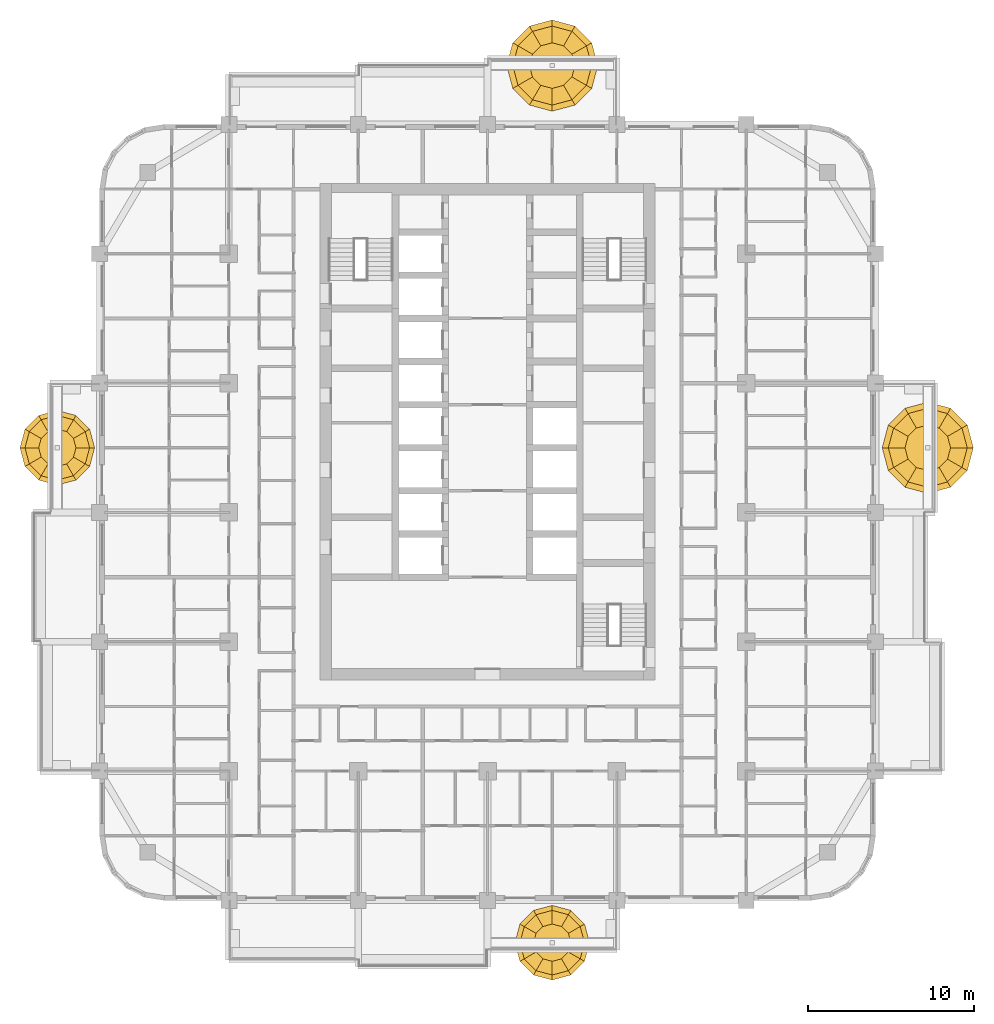
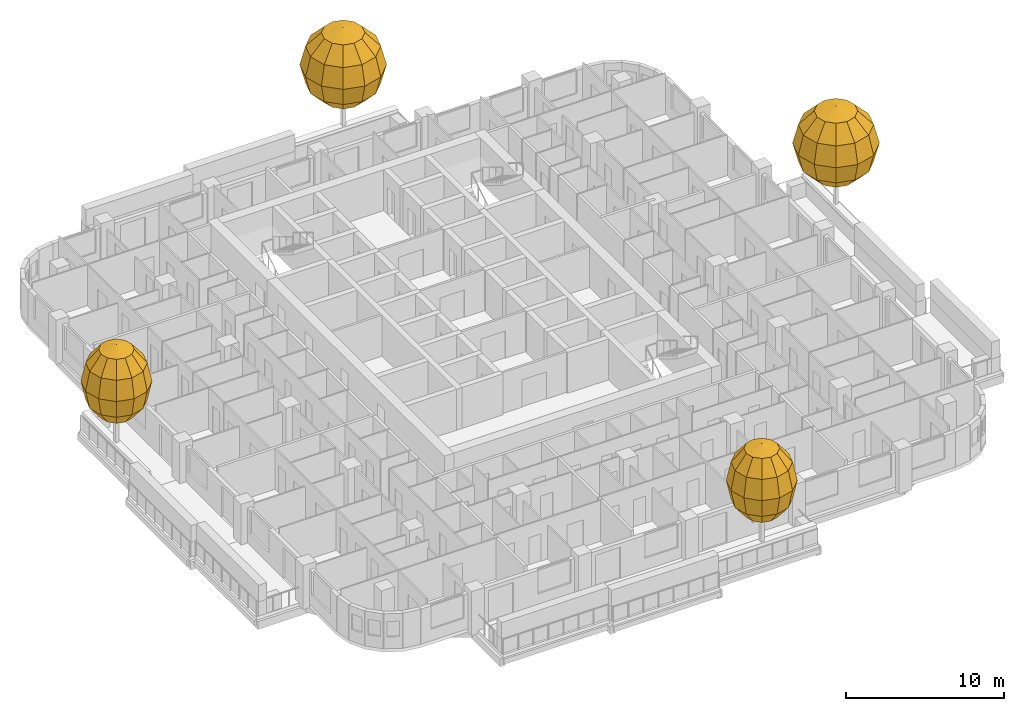
# One storey, part 18 of 18: 4 coverings.
"""IFC4 building model written with IfcOpenShell, lengths in metres."""

from ifc_helpers import new_model, si_unit, direction, frame, origin, place, context, subcontext, project, spatial, triangles, material, layer, layer_set, type_object, element, save


model = new_model("IFC4")

# Units and contexts
model_context = context("Model", 3, precision=1e-05, world=origin(), true_north=direction((0.0, 1.0)))
body_context = subcontext(model_context, "Body", "Model", "MODEL_VIEW")
ifc_project = project(units=[si_unit("LENGTHUNIT", "METRE"), si_unit("AREAUNIT", "SQUARE_METRE"), si_unit("VOLUMEUNIT", "CUBIC_METRE"), si_unit("PLANEANGLEUNIT", "RADIAN"), si_unit("MASSUNIT", "GRAM", prefix="KILO")], contexts=[model_context])

# Site, building, storey
site_placement = place(None, origin())
site = spatial("IfcSite", under=ifc_project, at=site_placement, CompositionType="ELEMENT")
building_placement = place(site_placement, origin())
building = spatial("IfcBuilding", under=site, at=building_placement, Name="Ludao Terraces", CompositionType="ELEMENT")
storey_placement = place(building_placement, frame((0.0, 0.0, 58.0)))
storey = spatial("IfcBuildingStorey", under=building, at=storey_placement, Name="L15", CompositionType="ELEMENT", Elevation=58.0)

# Coverings
ifc_material = material(Name="Planting")
ifc_layer_1 = layer(ifc_material, 4.5)
ifc_layer_set_1 = layer_set([ifc_layer_1], Name="ENV Tree crown 4500x5700")
covering_type_1 = type_object("IfcCoveringType", Name="ENV Tree crown 4500x5700", PredefinedType="USERDEFINED", material=ifc_layer_set_1)
covering_1_placement = place(storey_placement, frame((88.89990234375, 39.050048828125, 6.0)))
element("IfcCovering", 1, at=covering_1_placement, inside=storey, type_object=covering_type_1, Name="Tree crown L15 S3", ObjectType="PLANTING", PredefinedType="USERDEFINED", context=body_context, shape_type="Tessellation", body=[
    triangles([(0.0, 0.0, 2.85009765625), (1.125, 0.0, 2.46826171875), (0.974365234375, 0.5625, 2.46826171875), (0.5625, 0.974365234375, 2.46826171875), (0.0, 1.125, 2.46826171875), (-0.5625, 0.974365234375, 2.46826171875), (-0.974365234375, 0.5625, 2.46826171875), (-1.125, 0.0, 2.46826171875), (-0.974365234375, -0.5625, 2.46826171875), (-0.5625, -0.974365234375, 2.46826171875), (0.0, -1.125, 2.46826171875), (0.5625, -0.974365234375, 2.46826171875), (0.974365234375, -0.5625, 2.46826171875), (1.948486328125, 0.0, 1.425048828125), (1.6875, 0.974365234375, 1.425048828125), (0.974365234375, 1.6875, 1.425048828125), (0.0, 1.948486328125, 1.425048828125), (-0.974365234375, 1.6875, 1.425048828125), (-1.6875, 0.974365234375, 1.425048828125), (-1.948486328125, 0.0, 1.425048828125), (-1.6875, -0.974365234375, 1.425048828125), (-0.974365234375, -1.6875, 1.425048828125), (0.0, -1.948486328125, 1.425048828125), (0.974365234375, -1.6875, 1.425048828125), (1.6875, -0.974365234375, 1.425048828125), (2.25, 0.0, 0.0), (1.948486328125, 1.125, 0.0), (1.125, 1.948486328125, 0.0), (0.0, 2.25, 0.0), (-1.125, 1.948486328125, 0.0), (-1.948486328125, 1.125, 0.0), (-2.25, 0.0, 0.0), (-1.948486328125, -1.125, 0.0), (-1.125, -1.948486328125, 0.0), (0.0, -2.25, 0.0), (1.125, -1.948486328125, 0.0), (1.948486328125, -1.125, 0.0), (1.948486328125, 0.0, -1.425048828125), (1.6875, 0.974365234375, -1.425048828125), (0.974365234375, 1.6875, -1.425048828125), (0.0, 1.948486328125, -1.425048828125), (-0.974365234375, 1.6875, -1.425048828125), (-1.6875, 0.974365234375, -1.425048828125), (-1.948486328125, 0.0, -1.425048828125), (-1.6875, -0.974365234375, -1.425048828125), (-0.974365234375, -1.6875, -1.425048828125), (0.0, -1.948486328125, -1.425048828125), (0.974365234375, -1.6875, -1.425048828125), (1.6875, -0.974365234375, -1.425048828125), (1.125, 0.0, -2.46826171875), (0.974365234375, 0.5625, -2.46826171875), (0.5625, 0.974365234375, -2.46826171875), (0.0, 1.125, -2.46826171875), (-0.5625, 0.974365234375, -2.46826171875), (-0.974365234375, 0.5625, -2.46826171875), (-1.125, 0.0, -2.46826171875), (-0.974365234375, -0.5625, -2.46826171875), (-0.5625, -0.974365234375, -2.46826171875), (0.0, -1.125, -2.46826171875), (0.5625, -0.974365234375, -2.46826171875), (0.974365234375, -0.5625, -2.46826171875), (0.0, 0.0, -2.85009765625)], [[1, 2, 3], [1, 3, 4], [1, 4, 5], [1, 5, 6], [1, 6, 7], [1, 7, 8], [1, 8, 9], [1, 9, 10], [1, 10, 11], [1, 11, 12], [1, 12, 13], [1, 13, 2], [2, 14, 15], [2, 15, 3], [3, 15, 16], [3, 16, 4], [4, 16, 17], [4, 17, 5], [5, 17, 18], [5, 18, 6], [6, 18, 19], [6, 19, 7], [7, 19, 20], [7, 20, 8], [8, 20, 21], [8, 21, 9], [9, 21, 22], [9, 22, 10], [10, 22, 23], [10, 23, 11], [11, 23, 24], [11, 24, 12], [12, 24, 25], [12, 25, 13], [13, 25, 14], [13, 14, 2], [14, 26, 27], [14, 27, 15], [15, 27, 28], [15, 28, 16], [16, 28, 29], [16, 29, 17], [17, 29, 30], [17, 30, 18], [18, 30, 31], [18, 31, 19], [19, 31, 32], [19, 32, 20], [20, 32, 33], [20, 33, 21], [21, 33, 34], [21, 34, 22], [22, 34, 35], [22, 35, 23], [23, 35, 36], [23, 36, 24], [24, 36, 37], [24, 37, 25], [25, 37, 26], [25, 26, 14], [26, 38, 39], [26, 39, 27], [27, 39, 40], [27, 40, 28], [28, 40, 41], [28, 41, 29], [29, 41, 42], [29, 42, 30], [30, 42, 43], [30, 43, 31], [31, 43, 44], [31, 44, 32], [32, 44, 45], [32, 45, 33], [33, 45, 46], [33, 46, 34], [34, 46, 47], [34, 47, 35], [35, 47, 48], [35, 48, 36], [36, 48, 49], [36, 49, 37], [37, 49, 38], [37, 38, 26], [38, 50, 51], [38, 51, 39], [39, 51, 52], [39, 52, 40], [40, 52, 53], [40, 53, 41], [41, 53, 54], [41, 54, 42], [42, 54, 55], [42, 55, 43], [43, 55, 56], [43, 56, 44], [44, 56, 57], [44, 57, 45], [45, 57, 58], [45, 58, 46], [46, 58, 59], [46, 59, 47], [47, 59, 60], [47, 60, 48], [48, 60, 61], [48, 61, 49], [49, 61, 50], [49, 50, 38], [62, 51, 50], [62, 52, 51], [62, 53, 52], [62, 54, 53], [62, 55, 54], [62, 56, 55], [62, 57, 56], [62, 58, 57], [62, 59, 58], [62, 60, 59], [62, 61, 60], [62, 50, 61]], closed=True),
])
covering_2_placement = place(storey_placement, frame((59.050048828125, 68.89990234375, 6.0)))
element("IfcCovering", 2, at=covering_2_placement, inside=storey, type_object=covering_type_1, Name="Tree crown L15 W3", ObjectType="PLANTING", PredefinedType="USERDEFINED", context=body_context, shape_type="Tessellation", body=[
    triangles([(0.0, 0.0, 2.85009765625), (1.125, 0.0, 2.46826171875), (0.974365234375, 0.5625, 2.46826171875), (0.5625, 0.974365234375, 2.46826171875), (0.0, 1.125, 2.46826171875), (-0.5625, 0.974365234375, 2.46826171875), (-0.974365234375, 0.5625, 2.46826171875), (-1.125, 0.0, 2.46826171875), (-0.974365234375, -0.5625, 2.46826171875), (-0.5625, -0.974365234375, 2.46826171875), (0.0, -1.125, 2.46826171875), (0.5625, -0.974365234375, 2.46826171875), (0.974365234375, -0.5625, 2.46826171875), (1.948486328125, 0.0, 1.425048828125), (1.6875, 0.974365234375, 1.425048828125), (0.974365234375, 1.6875, 1.425048828125), (0.0, 1.948486328125, 1.425048828125), (-0.974365234375, 1.6875, 1.425048828125), (-1.6875, 0.974365234375, 1.425048828125), (-1.948486328125, 0.0, 1.425048828125), (-1.6875, -0.974365234375, 1.425048828125), (-0.974365234375, -1.6875, 1.425048828125), (0.0, -1.948486328125, 1.425048828125), (0.974365234375, -1.6875, 1.425048828125), (1.6875, -0.974365234375, 1.425048828125), (2.25, 0.0, 0.0), (1.948486328125, 1.125, 0.0), (1.125, 1.948486328125, 0.0), (0.0, 2.25, 0.0), (-1.125, 1.948486328125, 0.0), (-1.948486328125, 1.125, 0.0), (-2.25, 0.0, 0.0), (-1.948486328125, -1.125, 0.0), (-1.125, -1.948486328125, 0.0), (0.0, -2.25, 0.0), (1.125, -1.948486328125, 0.0), (1.948486328125, -1.125, 0.0), (1.948486328125, 0.0, -1.425048828125), (1.6875, 0.974365234375, -1.425048828125), (0.974365234375, 1.6875, -1.425048828125), (0.0, 1.948486328125, -1.425048828125), (-0.974365234375, 1.6875, -1.425048828125), (-1.6875, 0.974365234375, -1.425048828125), (-1.948486328125, 0.0, -1.425048828125), (-1.6875, -0.974365234375, -1.425048828125), (-0.974365234375, -1.6875, -1.425048828125), (0.0, -1.948486328125, -1.425048828125), (0.974365234375, -1.6875, -1.425048828125), (1.6875, -0.974365234375, -1.425048828125), (1.125, 0.0, -2.46826171875), (0.974365234375, 0.5625, -2.46826171875), (0.5625, 0.974365234375, -2.46826171875), (0.0, 1.125, -2.46826171875), (-0.5625, 0.974365234375, -2.46826171875), (-0.974365234375, 0.5625, -2.46826171875), (-1.125, 0.0, -2.46826171875), (-0.974365234375, -0.5625, -2.46826171875), (-0.5625, -0.974365234375, -2.46826171875), (0.0, -1.125, -2.46826171875), (0.5625, -0.974365234375, -2.46826171875), (0.974365234375, -0.5625, -2.46826171875), (0.0, 0.0, -2.85009765625)], [[1, 2, 3], [1, 3, 4], [1, 4, 5], [1, 5, 6], [1, 6, 7], [1, 7, 8], [1, 8, 9], [1, 9, 10], [1, 10, 11], [1, 11, 12], [1, 12, 13], [1, 13, 2], [2, 14, 15], [2, 15, 3], [3, 15, 16], [3, 16, 4], [4, 16, 17], [4, 17, 5], [5, 17, 18], [5, 18, 6], [6, 18, 19], [6, 19, 7], [7, 19, 20], [7, 20, 8], [8, 20, 21], [8, 21, 9], [9, 21, 22], [9, 22, 10], [10, 22, 23], [10, 23, 11], [11, 23, 24], [11, 24, 12], [12, 24, 25], [12, 25, 13], [13, 25, 14], [13, 14, 2], [14, 26, 27], [14, 27, 15], [15, 27, 28], [15, 28, 16], [16, 28, 29], [16, 29, 17], [17, 29, 30], [17, 30, 18], [18, 30, 31], [18, 31, 19], [19, 31, 32], [19, 32, 20], [20, 32, 33], [20, 33, 21], [21, 33, 34], [21, 34, 22], [22, 34, 35], [22, 35, 23], [23, 35, 36], [23, 36, 24], [24, 36, 37], [24, 37, 25], [25, 37, 26], [25, 26, 14], [26, 38, 39], [26, 39, 27], [27, 39, 40], [27, 40, 28], [28, 40, 41], [28, 41, 29], [29, 41, 42], [29, 42, 30], [30, 42, 43], [30, 43, 31], [31, 43, 44], [31, 44, 32], [32, 44, 45], [32, 45, 33], [33, 45, 46], [33, 46, 34], [34, 46, 47], [34, 47, 35], [35, 47, 48], [35, 48, 36], [36, 48, 49], [36, 49, 37], [37, 49, 38], [37, 38, 26], [38, 50, 51], [38, 51, 39], [39, 51, 52], [39, 52, 40], [40, 52, 53], [40, 53, 41], [41, 53, 54], [41, 54, 42], [42, 54, 55], [42, 55, 43], [43, 55, 56], [43, 56, 44], [44, 56, 57], [44, 57, 45], [45, 57, 58], [45, 58, 46], [46, 58, 59], [46, 59, 47], [47, 59, 60], [47, 60, 48], [48, 60, 61], [48, 61, 49], [49, 61, 50], [49, 50, 38], [62, 51, 50], [62, 52, 51], [62, 53, 52], [62, 54, 53], [62, 55, 54], [62, 56, 55], [62, 57, 56], [62, 58, 57], [62, 59, 58], [62, 60, 59], [62, 61, 60], [62, 50, 61]], closed=True),
])
ifc_layer_2 = layer(ifc_material, 5.5)
ifc_layer_set_2 = layer_set([ifc_layer_2], Name="ENV Tree crown 5500x5700")
covering_type_2 = type_object("IfcCoveringType", Name="ENV Tree crown 5500x5700", PredefinedType="USERDEFINED", material=ifc_layer_set_2)
covering_3_placement = place(storey_placement, frame((111.550048828125, 68.89990234375, 6.0)))
element("IfcCovering", 3, at=covering_3_placement, inside=storey, type_object=covering_type_2, Name="Tree crown L15 E3", ObjectType="PLANTING", PredefinedType="USERDEFINED", context=body_context, shape_type="Tessellation", body=[
    triangles([(0.0, 0.0, 2.85009765625), (1.375, 0.0, 2.46826171875), (1.190673828125, 0.6875, 2.46826171875), (0.6875, 1.190673828125, 2.46826171875), (0.0, 1.375, 2.46826171875), (-0.6875, 1.190673828125, 2.46826171875), (-1.190673828125, 0.6875, 2.46826171875), (-1.375, 0.0, 2.46826171875), (-1.190673828125, -0.6875, 2.46826171875), (-0.6875, -1.190673828125, 2.46826171875), (0.0, -1.375, 2.46826171875), (0.6875, -1.190673828125, 2.46826171875), (1.190673828125, -0.6875, 2.46826171875), (2.381591796875, 0.0, 1.425048828125), (2.0625, 1.190673828125, 1.425048828125), (1.190673828125, 2.0625, 1.425048828125), (0.0, 2.381591796875, 1.425048828125), (-1.190673828125, 2.0625, 1.425048828125), (-2.0625, 1.190673828125, 1.425048828125), (-2.381591796875, 0.0, 1.425048828125), (-2.0625, -1.190673828125, 1.425048828125), (-1.190673828125, -2.0625, 1.425048828125), (0.0, -2.381591796875, 1.425048828125), (1.190673828125, -2.0625, 1.425048828125), (2.0625, -1.190673828125, 1.425048828125), (2.75, 0.0, 0.0), (2.381591796875, 1.375, 0.0), (1.375, 2.381591796875, 0.0), (0.0, 2.75, 0.0), (-1.375, 2.381591796875, 0.0), (-2.381591796875, 1.375, 0.0), (-2.75, 0.0, 0.0), (-2.381591796875, -1.375, 0.0), (-1.375, -2.381591796875, 0.0), (0.0, -2.75, 0.0), (1.375, -2.381591796875, 0.0), (2.381591796875, -1.375, 0.0), (2.381591796875, 0.0, -1.425048828125), (2.0625, 1.190673828125, -1.425048828125), (1.190673828125, 2.0625, -1.425048828125), (0.0, 2.381591796875, -1.425048828125), (-1.190673828125, 2.0625, -1.425048828125), (-2.0625, 1.190673828125, -1.425048828125), (-2.381591796875, 0.0, -1.425048828125), (-2.0625, -1.190673828125, -1.425048828125), (-1.190673828125, -2.0625, -1.425048828125), (0.0, -2.381591796875, -1.425048828125), (1.190673828125, -2.0625, -1.425048828125), (2.0625, -1.190673828125, -1.425048828125), (1.375, 0.0, -2.46826171875), (1.190673828125, 0.6875, -2.46826171875), (0.6875, 1.190673828125, -2.46826171875), (0.0, 1.375, -2.46826171875), (-0.6875, 1.190673828125, -2.46826171875), (-1.190673828125, 0.6875, -2.46826171875), (-1.375, 0.0, -2.46826171875), (-1.190673828125, -0.6875, -2.46826171875), (-0.6875, -1.190673828125, -2.46826171875), (0.0, -1.375, -2.46826171875), (0.6875, -1.190673828125, -2.46826171875), (1.190673828125, -0.6875, -2.46826171875), (0.0, 0.0, -2.85009765625)], [[1, 2, 3], [1, 3, 4], [1, 4, 5], [1, 5, 6], [1, 6, 7], [1, 7, 8], [1, 8, 9], [1, 9, 10], [1, 10, 11], [1, 11, 12], [1, 12, 13], [1, 13, 2], [2, 14, 15], [2, 15, 3], [3, 15, 16], [3, 16, 4], [4, 16, 17], [4, 17, 5], [5, 17, 18], [5, 18, 6], [6, 18, 19], [6, 19, 7], [7, 19, 20], [7, 20, 8], [8, 20, 21], [8, 21, 9], [9, 21, 22], [9, 22, 10], [10, 22, 23], [10, 23, 11], [11, 23, 24], [11, 24, 12], [12, 24, 25], [12, 25, 13], [13, 25, 14], [13, 14, 2], [14, 26, 27], [14, 27, 15], [15, 27, 28], [15, 28, 16], [16, 28, 29], [16, 29, 17], [17, 29, 30], [17, 30, 18], [18, 30, 31], [18, 31, 19], [19, 31, 32], [19, 32, 20], [20, 32, 33], [20, 33, 21], [21, 33, 34], [21, 34, 22], [22, 34, 35], [22, 35, 23], [23, 35, 36], [23, 36, 24], [24, 36, 37], [24, 37, 25], [25, 37, 26], [25, 26, 14], [26, 38, 39], [26, 39, 27], [27, 39, 40], [27, 40, 28], [28, 40, 41], [28, 41, 29], [29, 41, 42], [29, 42, 30], [30, 42, 43], [30, 43, 31], [31, 43, 44], [31, 44, 32], [32, 44, 45], [32, 45, 33], [33, 45, 46], [33, 46, 34], [34, 46, 47], [34, 47, 35], [35, 47, 48], [35, 48, 36], [36, 48, 49], [36, 49, 37], [37, 49, 38], [37, 38, 26], [38, 50, 51], [38, 51, 39], [39, 51, 52], [39, 52, 40], [40, 52, 53], [40, 53, 41], [41, 53, 54], [41, 54, 42], [42, 54, 55], [42, 55, 43], [43, 55, 56], [43, 56, 44], [44, 56, 57], [44, 57, 45], [45, 57, 58], [45, 58, 46], [46, 58, 59], [46, 59, 47], [47, 59, 60], [47, 60, 48], [48, 60, 61], [48, 61, 49], [49, 61, 50], [49, 50, 38], [62, 51, 50], [62, 52, 51], [62, 53, 52], [62, 54, 53], [62, 55, 54], [62, 56, 55], [62, 57, 56], [62, 58, 57], [62, 59, 58], [62, 60, 59], [62, 61, 60], [62, 50, 61]], closed=True),
])
covering_4_placement = place(storey_placement, frame((88.89990234375, 91.949951171875, 6.0)))
element("IfcCovering", 4, at=covering_4_placement, inside=storey, type_object=covering_type_2, Name="Tree crown L15 N3", ObjectType="PLANTING", PredefinedType="USERDEFINED", context=body_context, shape_type="Tessellation", body=[
    triangles([(0.0, 0.0, 2.85009765625), (1.375, 0.0, 2.46826171875), (1.190673828125, 0.6875, 2.46826171875), (0.6875, 1.190673828125, 2.46826171875), (0.0, 1.375, 2.46826171875), (-0.6875, 1.190673828125, 2.46826171875), (-1.190673828125, 0.6875, 2.46826171875), (-1.375, 0.0, 2.46826171875), (-1.190673828125, -0.6875, 2.46826171875), (-0.6875, -1.190673828125, 2.46826171875), (0.0, -1.375, 2.46826171875), (0.6875, -1.190673828125, 2.46826171875), (1.190673828125, -0.6875, 2.46826171875), (2.381591796875, 0.0, 1.425048828125), (2.0625, 1.190673828125, 1.425048828125), (1.190673828125, 2.0625, 1.425048828125), (0.0, 2.381591796875, 1.425048828125), (-1.190673828125, 2.0625, 1.425048828125), (-2.0625, 1.190673828125, 1.425048828125), (-2.381591796875, 0.0, 1.425048828125), (-2.0625, -1.190673828125, 1.425048828125), (-1.190673828125, -2.0625, 1.425048828125), (0.0, -2.381591796875, 1.425048828125), (1.190673828125, -2.0625, 1.425048828125), (2.0625, -1.190673828125, 1.425048828125), (2.75, 0.0, 0.0), (2.381591796875, 1.375, 0.0), (1.375, 2.381591796875, 0.0), (0.0, 2.75, 0.0), (-1.375, 2.381591796875, 0.0), (-2.381591796875, 1.375, 0.0), (-2.75, 0.0, 0.0), (-2.381591796875, -1.375, 0.0), (-1.375, -2.381591796875, 0.0), (0.0, -2.75, 0.0), (1.375, -2.381591796875, 0.0), (2.381591796875, -1.375, 0.0), (2.381591796875, 0.0, -1.425048828125), (2.0625, 1.190673828125, -1.425048828125), (1.190673828125, 2.0625, -1.425048828125), (0.0, 2.381591796875, -1.425048828125), (-1.190673828125, 2.0625, -1.425048828125), (-2.0625, 1.190673828125, -1.425048828125), (-2.381591796875, 0.0, -1.425048828125), (-2.0625, -1.190673828125, -1.425048828125), (-1.190673828125, -2.0625, -1.425048828125), (0.0, -2.381591796875, -1.425048828125), (1.190673828125, -2.0625, -1.425048828125), (2.0625, -1.190673828125, -1.425048828125), (1.375, 0.0, -2.46826171875), (1.190673828125, 0.6875, -2.46826171875), (0.6875, 1.190673828125, -2.46826171875), (0.0, 1.375, -2.46826171875), (-0.6875, 1.190673828125, -2.46826171875), (-1.190673828125, 0.6875, -2.46826171875), (-1.375, 0.0, -2.46826171875), (-1.190673828125, -0.6875, -2.46826171875), (-0.6875, -1.190673828125, -2.46826171875), (0.0, -1.375, -2.46826171875), (0.6875, -1.190673828125, -2.46826171875), (1.190673828125, -0.6875, -2.46826171875), (0.0, 0.0, -2.85009765625)], [[1, 2, 3], [1, 3, 4], [1, 4, 5], [1, 5, 6], [1, 6, 7], [1, 7, 8], [1, 8, 9], [1, 9, 10], [1, 10, 11], [1, 11, 12], [1, 12, 13], [1, 13, 2], [2, 14, 15], [2, 15, 3], [3, 15, 16], [3, 16, 4], [4, 16, 17], [4, 17, 5], [5, 17, 18], [5, 18, 6], [6, 18, 19], [6, 19, 7], [7, 19, 20], [7, 20, 8], [8, 20, 21], [8, 21, 9], [9, 21, 22], [9, 22, 10], [10, 22, 23], [10, 23, 11], [11, 23, 24], [11, 24, 12], [12, 24, 25], [12, 25, 13], [13, 25, 14], [13, 14, 2], [14, 26, 27], [14, 27, 15], [15, 27, 28], [15, 28, 16], [16, 28, 29], [16, 29, 17], [17, 29, 30], [17, 30, 18], [18, 30, 31], [18, 31, 19], [19, 31, 32], [19, 32, 20], [20, 32, 33], [20, 33, 21], [21, 33, 34], [21, 34, 22], [22, 34, 35], [22, 35, 23], [23, 35, 36], [23, 36, 24], [24, 36, 37], [24, 37, 25], [25, 37, 26], [25, 26, 14], [26, 38, 39], [26, 39, 27], [27, 39, 40], [27, 40, 28], [28, 40, 41], [28, 41, 29], [29, 41, 42], [29, 42, 30], [30, 42, 43], [30, 43, 31], [31, 43, 44], [31, 44, 32], [32, 44, 45], [32, 45, 33], [33, 45, 46], [33, 46, 34], [34, 46, 47], [34, 47, 35], [35, 47, 48], [35, 48, 36], [36, 48, 49], [36, 49, 37], [37, 49, 38], [37, 38, 26], [38, 50, 51], [38, 51, 39], [39, 51, 52], [39, 52, 40], [40, 52, 53], [40, 53, 41], [41, 53, 54], [41, 54, 42], [42, 54, 55], [42, 55, 43], [43, 55, 56], [43, 56, 44], [44, 56, 57], [44, 57, 45], [45, 57, 58], [45, 58, 46], [46, 58, 59], [46, 59, 47], [47, 59, 60], [47, 60, 48], [48, 60, 61], [48, 61, 49], [49, 61, 50], [49, 50, 38], [62, 51, 50], [62, 52, 51], [62, 53, 52], [62, 54, 53], [62, 55, 54], [62, 56, 55], [62, 57, 56], [62, 58, 57], [62, 59, 58], [62, 60, 59], [62, 61, 60], [62, 50, 61]], closed=True),
])

save(model, "model.ifc")
